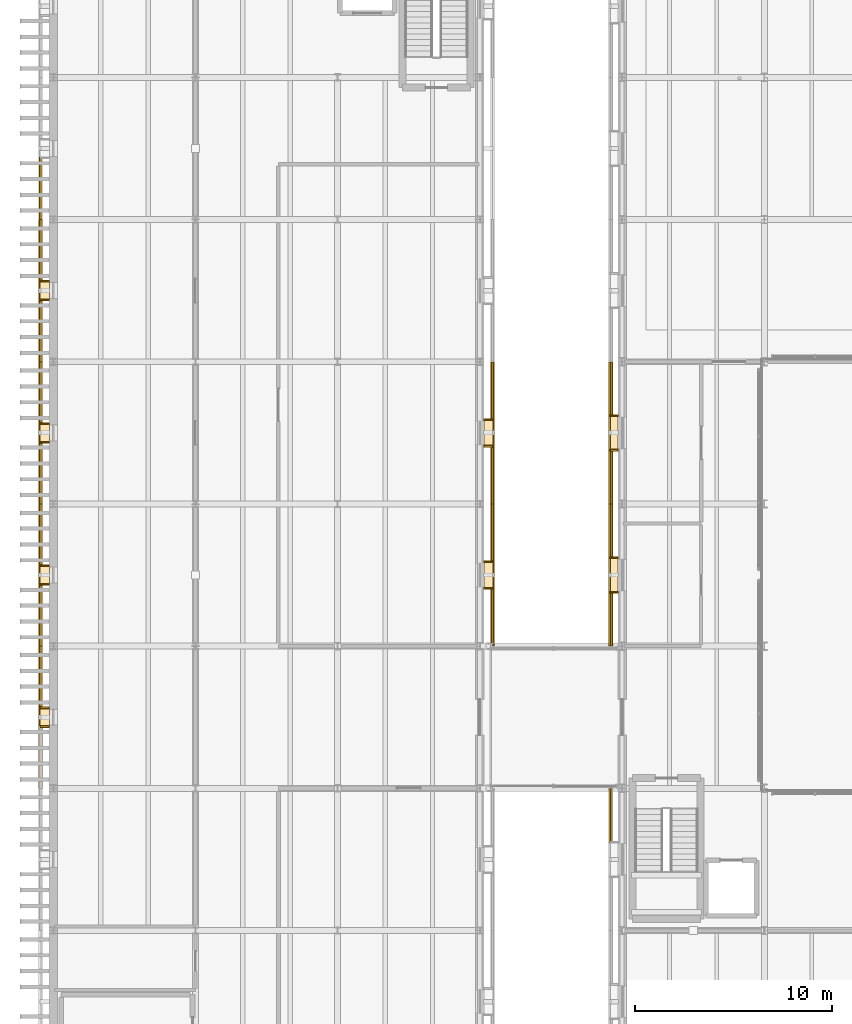
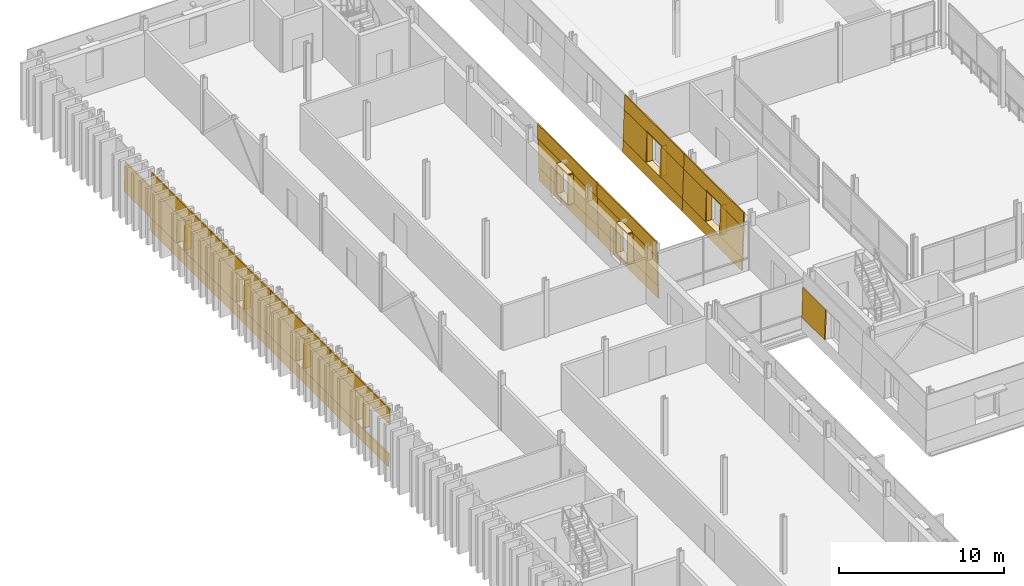
# One storey, part 100 of 115: 65 coverings.
"""IFC4 building model written with IfcOpenShell, lengths in metres."""

from ifc_helpers import new_model, si_unit, direction, frame, origin, place, context, subcontext, project, spatial, polyline, outline, extrude, material, layer, layer_set, type_object, element, save


model = new_model("IFC4")

# Units and contexts
model_context = context("Model", 3, precision=1e-05, world=origin(), true_north=direction((0.0, 1.0)))
body_context = subcontext(model_context, "Body", "Model", "MODEL_VIEW")
ifc_project = project(units=[si_unit("LENGTHUNIT", "METRE"), si_unit("AREAUNIT", "SQUARE_METRE"), si_unit("VOLUMEUNIT", "CUBIC_METRE"), si_unit("PLANEANGLEUNIT", "RADIAN"), si_unit("MASSUNIT", "GRAM", prefix="KILO")], contexts=[model_context])

# Site, building, storey
site_placement = place(None, origin())
site = spatial("IfcSite", under=ifc_project, at=site_placement, CompositionType="ELEMENT")
building_placement = place(site_placement, origin())
building = spatial("IfcBuilding", under=site, at=building_placement, Name="Narikvali Park Central Library", CompositionType="ELEMENT")
storey_placement = place(building_placement, frame((0.0, 0.0, 10.199951171875)))
storey = spatial("IfcBuildingStorey", under=building, at=storey_placement, Name="L02", CompositionType="ELEMENT", Elevation=10.199951171875)

# Coverings
ifc_material = material(Name="White Honed Limestone Cladding", Category="masonry")
ifc_layer_1 = layer(ifc_material, 0.0849609375, Name="White Honed Limestone Cladding")
ifc_layer_set_1 = layer_set([ifc_layer_1], Name="White Honed Limestone Cladding")
covering_type_1 = type_object("IfcCoveringType", Name="Battered White Limestone Facade Cladding Panel", PredefinedType="CLADDING", material=ifc_layer_set_1)
covering_1_placement = place(storey_placement, frame((28.103515625, 86.39990234375, 0.0), z_axis=(-0.999432774777, 0.0, 0.03367682738), x_axis=(0.0, -1.0, 0.0)))
element("IfcCovering", 1, at=covering_1_placement, inside=storey, type_object=covering_type_1, Name="V4 L02 W Battered Limestone Spandrel B05", PredefinedType="CLADDING", context=body_context, shape_type="SweptSolid", body=[
    extrude(outline(polyline([(0.0, 0.0), (7.199951171875, 0.0), (7.199951171875, 0.9206882532251458), (0.0, 0.9206882532251458), (0.0, 0.0)])), origin(), (0.0, 0.0, -1.0), 0.0849609375),
])
covering_2_placement = place(storey_placement, frame((28.208740234375, 86.39990234375, 3.1201171875), z_axis=(-0.999433057245, 0.0, 0.033668443484), x_axis=(0.0, -1.0, 0.0)))
element("IfcCovering", 2, at=covering_2_placement, inside=storey, type_object=covering_type_1, Name="V4 L02 W Battered Limestone Lintel B05", PredefinedType="CLADDING", context=body_context, shape_type="SweptSolid", body=[
    extrude(outline(polyline([(0.0, 0.0), (7.199951171875, 0.0), (7.199951171875, 1.0804465357109745), (0.0, 1.0804465357109745), (0.0, 0.0)])), origin(), (0.0, 0.0, -1.0), 0.0849609375),
])
for number, where, z_axis, x_axis, name in (
    (3, (28.134521484375, 86.39990234375, 0.920166015625), (-0.999431408105, 0.0, 0.033717361898), (0.0, -1.0, 0.0), "V4 L02 W Battered Limestone Jamb Pier L B05"),
    (4, (28.134521484375, 81.9599609375, 0.920166015625), (-0.999431408105, 0.0, 0.033717361898), (0.0, -1.0, 0.0), "V4 L02 W Battered Limestone Jamb Pier R B05"),
):
    element("IfcCovering", number, at=place(storey_placement, frame(where, z_axis=z_axis, x_axis=x_axis)), inside=storey, type_object=covering_type_1, Name=name, PredefinedType="CLADDING", context=body_context, shape_type="SweptSolid", body=[
        extrude(outline(polyline([(0.0, 0.0), (2.760009765625, 0.0), (2.760009765625, 2.2012027579225295), (0.0, 2.2012027579225295), (0.0, 0.0)])), origin(), (0.0, 0.0, -1.0), 0.0849609375),
    ])
covering_3_placement = place(storey_placement, frame((28.103515625, 79.199951171875, 0.0), z_axis=(-0.999432774777, 0.0, 0.03367682738), x_axis=(0.0, -1.0, 0.0)))
element("IfcCovering", 5, at=covering_3_placement, inside=storey, type_object=covering_type_1, Name="V4 L02 W Battered Limestone Spandrel B06", PredefinedType="CLADDING", context=body_context, shape_type="SweptSolid", body=[
    extrude(outline(polyline([(0.0, 0.0), (7.199951171875, 0.0), (7.199951171875, 0.9206882532251458), (0.0, 0.9206882532251458), (0.0, 0.0)])), origin(), (0.0, 0.0, -1.0), 0.0849609375),
])
covering_4_placement = place(storey_placement, frame((28.208740234375, 79.199951171875, 3.1201171875), z_axis=(-0.999433057245, 0.0, 0.033668443484), x_axis=(0.0, -1.0, 0.0)))
element("IfcCovering", 6, at=covering_4_placement, inside=storey, type_object=covering_type_1, Name="V4 L02 W Battered Limestone Lintel B06", PredefinedType="CLADDING", context=body_context, shape_type="SweptSolid", body=[
    extrude(outline(polyline([(0.0, 0.0), (7.199951171875, 0.0), (7.199951171875, 1.0804465357109745), (0.0, 1.0804465357109745), (0.0, 0.0)])), origin(), (0.0, 0.0, -1.0), 0.0849609375),
])
for number, where, z_axis, x_axis, name in (
    (7, (28.134521484375, 79.199951171875, 0.920166015625), (-0.999431408105, 0.0, 0.033717361898), (0.0, -1.0, 0.0), "V4 L02 W Battered Limestone Jamb Pier L B06"),
    (8, (28.134521484375, 74.760009765625, 0.920166015625), (-0.999431408105, 0.0, 0.033717361898), (0.0, -1.0, 0.0), "V4 L02 W Battered Limestone Jamb Pier R B06"),
    (9, (28.134521484375, 64.800048828125, 0.920166015625), (-0.999431408105, 0.0, 0.033717361898), (0.0, -1.0, 0.0), "V4 L02 W Battered Limestone Jamb Pier L B08"),
):
    element("IfcCovering", number, at=place(storey_placement, frame(where, z_axis=z_axis, x_axis=x_axis)), inside=storey, type_object=covering_type_1, Name=name, PredefinedType="CLADDING", context=body_context, shape_type="SweptSolid", body=[
        extrude(outline(polyline([(0.0, 0.0), (2.760009765625, 0.0), (2.760009765625, 2.2012027579225295), (0.0, 2.2012027579225295), (0.0, 0.0)])), origin(), (0.0, 0.0, -1.0), 0.0849609375),
    ])
covering_5_placement = place(storey_placement, frame((22.3505859375, 72.0, 0.0), z_axis=(0.999600632529, 0.0, 0.02825907725), x_axis=(0.0, 1.0, 0.0)))
element("IfcCovering", 10, at=covering_5_placement, inside=storey, type_object=covering_type_1, Name="V5 L02 E Battered Limestone Spandrel B07", PredefinedType="CLADDING", context=body_context, shape_type="SweptSolid", body=[
    extrude(outline(polyline([(0.0, 0.0), (7.199951171875, 0.0), (7.199951171875, 0.9503307030441919), (0.0, 0.9503307030441919), (0.0, 0.0)])), origin(), (0.0, 0.0, -1.0), 0.0849609375),
])
covering_6_placement = place(storey_placement, frame((22.2626953125, 72.0, 3.10009765625), z_axis=(0.999596598509, 0.0, 0.028401412788), x_axis=(0.0, 1.0, 0.0)))
element("IfcCovering", 11, at=covering_6_placement, inside=storey, type_object=covering_type_1, Name="V5 L02 E Battered Limestone Lintel B07", PredefinedType="CLADDING", context=body_context, shape_type="SweptSolid", body=[
    extrude(outline(polyline([(0.0, 0.0), (7.199951171875, 0.0), (7.199951171875, 1.100297377227026), (0.0, 1.100297377227026), (0.0, 0.0)])), origin(), (0.0, 0.0, -1.0), 0.0849609375),
])
for number, where, z_axis, x_axis, name in (
    (12, (22.32373046875, 72.0, 0.949951171875), (0.99959734633, 0.0, 0.028375080797), (0.0, 1.0, 0.0), "V5 L02 E Battered Limestone Jamb Pier L B07"),
    (13, (22.32373046875, 76.239990234375, 0.949951171875), (0.99959734633, 0.0, 0.028375080797), (0.0, 1.0, 0.0), "V5 L02 E Battered Limestone Jamb Pier R B07"),
):
    element("IfcCovering", number, at=place(storey_placement, frame(where, z_axis=z_axis, x_axis=x_axis)), inside=storey, type_object=covering_type_1, Name=name, PredefinedType="CLADDING", context=body_context, shape_type="SweptSolid", body=[
        extrude(outline(polyline([(0.0, 0.0), (2.9599609375, 0.0), (2.9599609375, 2.1510125974918495), (0.0, 2.1510125974918495), (0.0, 0.0)])), origin(), (0.0, 0.0, -1.0), 0.0849609375),
    ])
covering_7_placement = place(storey_placement, frame((22.3505859375, 79.199951171875, 0.0), z_axis=(0.999600632529, 0.0, 0.02825907725), x_axis=(0.0, 1.0, 0.0)))
element("IfcCovering", 14, at=covering_7_placement, inside=storey, type_object=covering_type_1, Name="V5 L02 E Battered Limestone Spandrel B08", PredefinedType="CLADDING", context=body_context, shape_type="SweptSolid", body=[
    extrude(outline(polyline([(0.0, 0.0), (7.199951171875, 0.0), (7.199951171875, 0.9503307030441919), (0.0, 0.9503307030441919), (0.0, 0.0)])), origin(), (0.0, 0.0, -1.0), 0.0849609375),
])
covering_8_placement = place(storey_placement, frame((22.2626953125, 79.199951171875, 3.10009765625), z_axis=(0.999596598509, 0.0, 0.028401412788), x_axis=(0.0, 1.0, 0.0)))
element("IfcCovering", 15, at=covering_8_placement, inside=storey, type_object=covering_type_1, Name="V5 L02 E Battered Limestone Lintel B08", PredefinedType="CLADDING", context=body_context, shape_type="SweptSolid", body=[
    extrude(outline(polyline([(0.0, 0.0), (7.199951171875, 0.0), (7.199951171875, 1.100297377227026), (0.0, 1.100297377227026), (0.0, 0.0)])), origin(), (0.0, 0.0, -1.0), 0.0849609375),
])
for number, where, z_axis, x_axis, name in (
    (16, (22.32373046875, 79.199951171875, 0.949951171875), (0.99959734633, 0.0, 0.028375080797), (0.0, 1.0, 0.0), "V5 L02 E Battered Limestone Jamb Pier L B08"),
    (17, (22.32373046875, 83.43994140625, 0.949951171875), (0.99959734633, 0.0, 0.028375080797), (0.0, 1.0, 0.0), "V5 L02 E Battered Limestone Jamb Pier R B08"),
):
    element("IfcCovering", number, at=place(storey_placement, frame(where, z_axis=z_axis, x_axis=x_axis)), inside=storey, type_object=covering_type_1, Name=name, PredefinedType="CLADDING", context=body_context, shape_type="SweptSolid", body=[
        extrude(outline(polyline([(0.0, 0.0), (2.9599609375, 0.0), (2.9599609375, 2.1510125974918495), (0.0, 2.1510125974918495), (0.0, 0.0)])), origin(), (0.0, 0.0, -1.0), 0.0849609375),
    ])
covering_9_placement = place(storey_placement, frame((-0.7236328125, 96.760009765625, 0.949951171875), z_axis=(-0.99959734633, 0.0, 0.028375080797), x_axis=(0.0, -1.0, 0.0)))
element("IfcCovering", 18, at=covering_9_placement, inside=storey, type_object=covering_type_1, Name="V5 L02 W Battered Limestone Jamb Pier R B02", PredefinedType="CLADDING", context=body_context, shape_type="SweptSolid", body=[
    extrude(outline(polyline([(0.0, 0.0), (3.159912109375, 0.0), (3.159912109375, 2.1510125974918495), (0.0, 2.1510125974918495), (0.0, 0.0)])), origin(), (0.0, 0.0, -1.0), 0.0849609375),
])
covering_10_placement = place(storey_placement, frame((-0.75048828125, 93.60009765625, 0.0), z_axis=(-0.999600632529, 0.0, 0.02825907725), x_axis=(0.0, -1.0, 0.0)))
element("IfcCovering", 19, at=covering_10_placement, inside=storey, type_object=covering_type_1, Name="V5 L02 W Battered Limestone Spandrel B03", PredefinedType="CLADDING", context=body_context, shape_type="SweptSolid", body=[
    extrude(outline(polyline([(0.0, 0.0), (7.2001953125, 0.0), (7.2001953125, 0.950330703044192), (0.0, 0.950330703044192), (0.0, 0.0)])), origin(), (0.0, 0.0, -1.0), 0.0849609375),
])
covering_11_placement = place(storey_placement, frame((-0.66259765625, 93.60009765625, 3.10009765625), z_axis=(-0.999602873297, 0.0, 0.028179703642), x_axis=(0.0, -1.0, 0.0)))
element("IfcCovering", 20, at=covering_11_placement, inside=storey, type_object=covering_type_1, Name="V5 L02 W Battered Limestone Lintel B03", PredefinedType="CLADDING", context=body_context, shape_type="SweptSolid", body=[
    extrude(outline(polyline([(0.0, 0.0), (7.2001953125, 0.0), (7.2001953125, 1.1002904703523768), (0.0, 1.1002904703523768), (0.0, 0.0)])), origin(), (0.0, 0.0, -1.0), 0.0849609375),
])
for number, where, z_axis, x_axis, name in (
    (21, (-0.7236328125, 93.60009765625, 0.949951171875), (-0.99959734633, 0.0, 0.028375080797), (0.0, -1.0, 0.0), "V5 L02 W Battered Limestone Jamb Pier L B03"),
    (22, (-0.7236328125, 89.56005859375, 0.949951171875), (-0.99959734633, 0.0, 0.028375080797), (0.0, -1.0, 0.0), "V5 L02 W Battered Limestone Jamb Pier R B03"),
):
    element("IfcCovering", number, at=place(storey_placement, frame(where, z_axis=z_axis, x_axis=x_axis)), inside=storey, type_object=covering_type_1, Name=name, PredefinedType="CLADDING", context=body_context, shape_type="SweptSolid", body=[
        extrude(outline(polyline([(0.0, 0.0), (3.16015625, 0.0), (3.16015625, 2.1510125974918495), (0.0, 2.1510125974918495), (0.0, 0.0)])), origin(), (0.0, 0.0, -1.0), 0.0849609375),
    ])
covering_12_placement = place(storey_placement, frame((-0.75048828125, 86.39990234375, 0.0), z_axis=(-0.999600632529, 0.0, 0.02825907725), x_axis=(0.0, -1.0, 0.0)))
element("IfcCovering", 23, at=covering_12_placement, inside=storey, type_object=covering_type_1, Name="V5 L02 W Battered Limestone Spandrel B04", PredefinedType="CLADDING", context=body_context, shape_type="SweptSolid", body=[
    extrude(outline(polyline([(0.0, 0.0), (7.199951171875, 0.0), (7.199951171875, 0.9503307030441919), (0.0, 0.9503307030441919), (0.0, 0.0)])), origin(), (0.0, 0.0, -1.0), 0.0849609375),
])
covering_13_placement = place(storey_placement, frame((-0.66259765625, 86.39990234375, 3.10009765625), z_axis=(-0.999602873297, 0.0, 0.028179703642), x_axis=(0.0, -1.0, 0.0)))
element("IfcCovering", 24, at=covering_13_placement, inside=storey, type_object=covering_type_1, Name="V5 L02 W Battered Limestone Lintel B04", PredefinedType="CLADDING", context=body_context, shape_type="SweptSolid", body=[
    extrude(outline(polyline([(0.0, 0.0), (7.199951171875, 0.0), (7.199951171875, 1.1002904703523768), (0.0, 1.1002904703523768), (0.0, 0.0)])), origin(), (0.0, 0.0, -1.0), 0.0849609375),
])
covering_14_placement = place(storey_placement, frame((-0.7236328125, 86.39990234375, 0.949951171875), z_axis=(-0.99959734633, 0.0, 0.028375080797), x_axis=(0.0, -1.0, 0.0)))
element("IfcCovering", 25, at=covering_14_placement, inside=storey, type_object=covering_type_1, Name="V5 L02 W Battered Limestone Jamb Pier L B04", PredefinedType="CLADDING", context=body_context, shape_type="SweptSolid", body=[
    extrude(outline(polyline([(0.0, 0.0), (3.159912109375, 0.0), (3.159912109375, 2.1510125974918495), (0.0, 2.1510125974918495), (0.0, 0.0)])), origin(), (0.0, 0.0, -1.0), 0.0849609375),
])
covering_15_placement = place(storey_placement, frame((-0.7236328125, 82.360107421875, 0.949951171875), z_axis=(-0.99959734633, 0.0, 0.028375080797), x_axis=(0.0, -1.0, 0.0)))
element("IfcCovering", 26, at=covering_15_placement, inside=storey, type_object=covering_type_1, Name="V5 L02 W Battered Limestone Jamb Pier R B04", PredefinedType="CLADDING", context=body_context, shape_type="SweptSolid", body=[
    extrude(outline(polyline([(0.0, 0.0), (3.16015625, 0.0), (3.16015625, 2.1510125974918495), (0.0, 2.1510125974918495), (0.0, 0.0)])), origin(), (0.0, 0.0, -1.0), 0.0849609375),
])
covering_16_placement = place(storey_placement, frame((-0.75048828125, 79.199951171875, 0.0), z_axis=(-0.999600632529, 0.0, 0.02825907725), x_axis=(0.0, -1.0, 0.0)))
element("IfcCovering", 27, at=covering_16_placement, inside=storey, type_object=covering_type_1, Name="V5 L02 W Battered Limestone Spandrel B05", PredefinedType="CLADDING", context=body_context, shape_type="SweptSolid", body=[
    extrude(outline(polyline([(0.0, 0.0), (7.199951171875, 0.0), (7.199951171875, 0.9503307030441919), (0.0, 0.9503307030441919), (0.0, 0.0)])), origin(), (0.0, 0.0, -1.0), 0.0849609375),
])
covering_17_placement = place(storey_placement, frame((-0.66259765625, 79.199951171875, 3.10009765625), z_axis=(-0.999602873297, 0.0, 0.028179703642), x_axis=(0.0, -1.0, 0.0)))
element("IfcCovering", 28, at=covering_17_placement, inside=storey, type_object=covering_type_1, Name="V5 L02 W Battered Limestone Lintel B05", PredefinedType="CLADDING", context=body_context, shape_type="SweptSolid", body=[
    extrude(outline(polyline([(0.0, 0.0), (7.199951171875, 0.0), (7.199951171875, 1.1002904703523768), (0.0, 1.1002904703523768), (0.0, 0.0)])), origin(), (0.0, 0.0, -1.0), 0.0849609375),
])
for number, where, z_axis, x_axis, name in (
    (29, (-0.7236328125, 79.199951171875, 0.949951171875), (-0.99959734633, 0.0, 0.028375080797), (0.0, -1.0, 0.0), "V5 L02 W Battered Limestone Jamb Pier L B05"),
    (30, (-0.7236328125, 75.159912109375, 0.949951171875), (-0.99959734633, 0.0, 0.028375080797), (0.0, -1.0, 0.0), "V5 L02 W Battered Limestone Jamb Pier R B05"),
):
    element("IfcCovering", number, at=place(storey_placement, frame(where, z_axis=z_axis, x_axis=x_axis)), inside=storey, type_object=covering_type_1, Name=name, PredefinedType="CLADDING", context=body_context, shape_type="SweptSolid", body=[
        extrude(outline(polyline([(0.0, 0.0), (3.159912109375, 0.0), (3.159912109375, 2.1510125974918495), (0.0, 2.1510125974918495), (0.0, 0.0)])), origin(), (0.0, 0.0, -1.0), 0.0849609375),
    ])
covering_18_placement = place(storey_placement, frame((-0.75048828125, 72.0, 0.0), z_axis=(-0.999600632529, 0.0, 0.02825907725), x_axis=(0.0, -1.0, 0.0)))
element("IfcCovering", 31, at=covering_18_placement, inside=storey, type_object=covering_type_1, Name="V5 L02 W Battered Limestone Spandrel B06", PredefinedType="CLADDING", context=body_context, shape_type="SweptSolid", body=[
    extrude(outline(polyline([(0.0, 0.0), (7.199951171875, 0.0), (7.199951171875, 0.9503307030441919), (0.0, 0.9503307030441919), (0.0, 0.0)])), origin(), (0.0, 0.0, -1.0), 0.0849609375),
])
covering_19_placement = place(storey_placement, frame((-0.66259765625, 72.0, 3.10009765625), z_axis=(-0.999602873297, 0.0, 0.028179703642), x_axis=(0.0, -1.0, 0.0)))
element("IfcCovering", 32, at=covering_19_placement, inside=storey, type_object=covering_type_1, Name="V5 L02 W Battered Limestone Lintel B06", PredefinedType="CLADDING", context=body_context, shape_type="SweptSolid", body=[
    extrude(outline(polyline([(0.0, 0.0), (7.199951171875, 0.0), (7.199951171875, 1.1002904703523768), (0.0, 1.1002904703523768), (0.0, 0.0)])), origin(), (0.0, 0.0, -1.0), 0.0849609375),
])
covering_20_placement = place(storey_placement, frame((-0.7236328125, 72.0, 0.949951171875), z_axis=(-0.99959734633, 0.0, 0.028375080797), x_axis=(0.0, -1.0, 0.0)))
element("IfcCovering", 33, at=covering_20_placement, inside=storey, type_object=covering_type_1, Name="V5 L02 W Battered Limestone Jamb Pier L B06", PredefinedType="CLADDING", context=body_context, shape_type="SweptSolid", body=[
    extrude(outline(polyline([(0.0, 0.0), (3.159912109375, 0.0), (3.159912109375, 2.1510125974918495), (0.0, 2.1510125974918495), (0.0, 0.0)])), origin(), (0.0, 0.0, -1.0), 0.0849609375),
])
ifc_layer_2 = layer(ifc_material, 0.080078125, Name="White Honed Limestone Cladding")
ifc_layer_set_2 = layer_set([ifc_layer_2], Name="White Honed Limestone Cladding")
covering_type_2 = type_object("IfcCoveringType", Name="Deep Carved White Limestone Window Reveal", PredefinedType="CLADDING", material=ifc_layer_set_2)
covering_21_placement = place(storey_placement, frame((0.0, 0.0, 3.1201171875)))
element("IfcCovering", 34, at=covering_21_placement, inside=storey, type_object=covering_type_2, Name="Deep Stone Reveal Head V4-RVL-L02-W-B05", PredefinedType="CLADDING", context=body_context, shape_type="SweptSolid", body=[
    extrude(outline(polyline([(28.594970703125, 83.679931640625), (28.594970703125, 81.919921875), (28.208740234375, 81.919921875), (28.208740234375, 83.679931640625), (28.594970703125, 83.679931640625)])), origin(), (0.0, 0.0, 1.0), 0.079833984375),
])
covering_22_placement = place(storey_placement, frame((0.0, 0.0, 0.840087890625)))
element("IfcCovering", 35, at=covering_22_placement, inside=storey, type_object=covering_type_2, Name="Deep Stone Reveal Sill V4-RVL-L02-W-B05", PredefinedType="CLADDING", context=body_context, shape_type="SweptSolid", body=[
    extrude(outline(polyline([(28.594970703125, 83.679931640625), (28.594970703125, 81.919921875), (28.134521484375, 81.919921875), (28.134521484375, 83.679931640625), (28.594970703125, 83.679931640625)])), origin(), (0.0, 0.0, 1.0), 0.080078125),
])
covering_23_placement = place(storey_placement, frame((0.0, 0.0, 0.920166015625)))
element("IfcCovering", 36, at=covering_23_placement, inside=storey, type_object=covering_type_2, Name="Deep Stone Reveal Jamb L V4-RVL-L02-W-B05", PredefinedType="CLADDING", context=body_context, shape_type="SweptSolid", body=[
    extrude(outline(polyline([(28.594970703125, 83.719970703125), (28.594970703125, 83.639892578125), (28.208740234375, 83.639892578125), (28.208740234375, 83.719970703125), (28.594970703125, 83.719970703125)])), origin(), (0.0, 0.0, 1.0), 2.199951171875),
])
covering_24_placement = place(storey_placement, frame((0.0, 0.0, 0.920166015625)))
element("IfcCovering", 37, at=covering_24_placement, inside=storey, type_object=covering_type_2, Name="Deep Stone Reveal Jamb R V4-RVL-L02-W-B05", PredefinedType="CLADDING", context=body_context, shape_type="SweptSolid", body=[
    extrude(outline(polyline([(28.594970703125, 81.9599609375), (28.594970703125, 81.8798828125), (28.208740234375, 81.8798828125), (28.208740234375, 81.9599609375), (28.594970703125, 81.9599609375)])), origin(), (0.0, 0.0, 1.0), 2.199951171875),
])
covering_25_placement = place(storey_placement, frame((0.0, 0.0, 3.1201171875)))
element("IfcCovering", 38, at=covering_25_placement, inside=storey, type_object=covering_type_2, Name="Deep Stone Reveal Head V4-RVL-L02-W-B06", PredefinedType="CLADDING", context=body_context, shape_type="SweptSolid", body=[
    extrude(outline(polyline([(28.594970703125, 76.47998046875), (28.594970703125, 74.719970703125), (28.208740234375, 74.719970703125), (28.208740234375, 76.47998046875), (28.594970703125, 76.47998046875)])), origin(), (0.0, 0.0, 1.0), 0.079833984375),
])
covering_26_placement = place(storey_placement, frame((0.0, 0.0, 0.840087890625)))
element("IfcCovering", 39, at=covering_26_placement, inside=storey, type_object=covering_type_2, Name="Deep Stone Reveal Sill V4-RVL-L02-W-B06", PredefinedType="CLADDING", context=body_context, shape_type="SweptSolid", body=[
    extrude(outline(polyline([(28.594970703125, 76.47998046875), (28.594970703125, 74.719970703125), (28.134521484375, 74.719970703125), (28.134521484375, 76.47998046875), (28.594970703125, 76.47998046875)])), origin(), (0.0, 0.0, 1.0), 0.080078125),
])
covering_27_placement = place(storey_placement, frame((0.0, 0.0, 0.920166015625)))
element("IfcCovering", 40, at=covering_27_placement, inside=storey, type_object=covering_type_2, Name="Deep Stone Reveal Jamb L V4-RVL-L02-W-B06", PredefinedType="CLADDING", context=body_context, shape_type="SweptSolid", body=[
    extrude(outline(polyline([(28.594970703125, 76.52001953125), (28.594970703125, 76.43994140625), (28.208740234375, 76.43994140625), (28.208740234375, 76.52001953125), (28.594970703125, 76.52001953125)])), origin(), (0.0, 0.0, 1.0), 2.199951171875),
])
covering_28_placement = place(storey_placement, frame((0.0, 0.0, 0.920166015625)))
element("IfcCovering", 41, at=covering_28_placement, inside=storey, type_object=covering_type_2, Name="Deep Stone Reveal Jamb R V4-RVL-L02-W-B06", PredefinedType="CLADDING", context=body_context, shape_type="SweptSolid", body=[
    extrude(outline(polyline([(28.594970703125, 74.760009765625), (28.594970703125, 74.679931640625), (28.208740234375, 74.679931640625), (28.208740234375, 74.760009765625), (28.594970703125, 74.760009765625)])), origin(), (0.0, 0.0, 1.0), 2.199951171875),
])
covering_29_placement = place(storey_placement, frame((0.0, 0.0, 3.10009765625)))
element("IfcCovering", 42, at=covering_29_placement, inside=storey, type_object=covering_type_2, Name="Deep Stone Reveal Head V5-RVL-L02-E-B07", PredefinedType="CLADDING", context=body_context, shape_type="SweptSolid", body=[
    extrude(outline(polyline([(21.804931640625, 74.919921875), (21.804931640625, 76.280029296875), (22.2626953125, 76.280029296875), (22.2626953125, 74.919921875), (21.804931640625, 74.919921875)])), origin(), (0.0, 0.0, 1.0), 0.079833984375),
])
covering_30_placement = place(storey_placement, frame((0.0, 0.0, 0.8701171875)))
element("IfcCovering", 43, at=covering_30_placement, inside=storey, type_object=covering_type_2, Name="Deep Stone Reveal Sill V5-RVL-L02-E-B07", PredefinedType="CLADDING", context=body_context, shape_type="SweptSolid", body=[
    extrude(outline(polyline([(21.804931640625, 74.919921875), (21.804931640625, 76.280029296875), (22.32373046875, 76.280029296875), (22.32373046875, 74.919921875), (21.804931640625, 74.919921875)])), origin(), (0.0, 0.0, 1.0), 0.079833984375),
])
covering_31_placement = place(storey_placement, frame((0.0, 0.0, 0.949951171875)))
element("IfcCovering", 44, at=covering_31_placement, inside=storey, type_object=covering_type_2, Name="Deep Stone Reveal Jamb L V5-RVL-L02-E-B07", PredefinedType="CLADDING", context=body_context, shape_type="SweptSolid", body=[
    extrude(outline(polyline([(21.804931640625, 74.8798828125), (21.804931640625, 74.9599609375), (22.2626953125, 74.9599609375), (22.2626953125, 74.8798828125), (21.804931640625, 74.8798828125)])), origin(), (0.0, 0.0, 1.0), 2.150146484375),
])
covering_32_placement = place(storey_placement, frame((0.0, 0.0, 0.949951171875)))
element("IfcCovering", 45, at=covering_32_placement, inside=storey, type_object=covering_type_2, Name="Deep Stone Reveal Jamb R V5-RVL-L02-E-B07", PredefinedType="CLADDING", context=body_context, shape_type="SweptSolid", body=[
    extrude(outline(polyline([(21.804931640625, 76.239990234375), (21.804931640625, 76.320068359375), (22.2626953125, 76.320068359375), (22.2626953125, 76.239990234375), (21.804931640625, 76.239990234375)])), origin(), (0.0, 0.0, 1.0), 2.150146484375),
])
covering_33_placement = place(storey_placement, frame((0.0, 0.0, 3.10009765625)))
element("IfcCovering", 46, at=covering_33_placement, inside=storey, type_object=covering_type_2, Name="Deep Stone Reveal Head V5-RVL-L02-E-B08", PredefinedType="CLADDING", context=body_context, shape_type="SweptSolid", body=[
    extrude(outline(polyline([(21.804931640625, 82.1201171875), (21.804931640625, 83.47998046875), (22.2626953125, 83.47998046875), (22.2626953125, 82.1201171875), (21.804931640625, 82.1201171875)])), origin(), (0.0, 0.0, 1.0), 0.079833984375),
])
covering_34_placement = place(storey_placement, frame((0.0, 0.0, 0.8701171875)))
element("IfcCovering", 47, at=covering_34_placement, inside=storey, type_object=covering_type_2, Name="Deep Stone Reveal Sill V5-RVL-L02-E-B08", PredefinedType="CLADDING", context=body_context, shape_type="SweptSolid", body=[
    extrude(outline(polyline([(21.804931640625, 82.1201171875), (21.804931640625, 83.47998046875), (22.32373046875, 83.47998046875), (22.32373046875, 82.1201171875), (21.804931640625, 82.1201171875)])), origin(), (0.0, 0.0, 1.0), 0.079833984375),
])
covering_35_placement = place(storey_placement, frame((0.0, 0.0, 0.949951171875)))
element("IfcCovering", 48, at=covering_35_placement, inside=storey, type_object=covering_type_2, Name="Deep Stone Reveal Jamb L V5-RVL-L02-E-B08", PredefinedType="CLADDING", context=body_context, shape_type="SweptSolid", body=[
    extrude(outline(polyline([(21.804931640625, 82.080078125), (21.804931640625, 82.159912109375), (22.2626953125, 82.159912109375), (22.2626953125, 82.080078125), (21.804931640625, 82.080078125)])), origin(), (0.0, 0.0, 1.0), 2.150146484375),
])
covering_36_placement = place(storey_placement, frame((0.0, 0.0, 0.949951171875)))
element("IfcCovering", 49, at=covering_36_placement, inside=storey, type_object=covering_type_2, Name="Deep Stone Reveal Jamb R V5-RVL-L02-E-B08", PredefinedType="CLADDING", context=body_context, shape_type="SweptSolid", body=[
    extrude(outline(polyline([(21.804931640625, 83.43994140625), (21.804931640625, 83.52001953125), (22.2626953125, 83.52001953125), (22.2626953125, 83.43994140625), (21.804931640625, 83.43994140625)])), origin(), (0.0, 0.0, 1.0), 2.150146484375),
])
covering_37_placement = place(storey_placement, frame((0.0, 0.0, 3.10009765625)))
element("IfcCovering", 50, at=covering_37_placement, inside=storey, type_object=covering_type_2, Name="Deep Stone Reveal Head V5-RVL-L02-W-B03", PredefinedType="CLADDING", context=body_context, shape_type="SweptSolid", body=[
    extrude(outline(polyline([(-0.205078125, 90.47998046875), (-0.205078125, 89.52001953125), (-0.66259765625, 89.52001953125), (-0.66259765625, 90.47998046875), (-0.205078125, 90.47998046875)])), origin(), (0.0, 0.0, 1.0), 0.079833984375),
])
covering_38_placement = place(storey_placement, frame((0.0, 0.0, 0.8701171875)))
element("IfcCovering", 51, at=covering_38_placement, inside=storey, type_object=covering_type_2, Name="Deep Stone Reveal Sill V5-RVL-L02-W-B03", PredefinedType="CLADDING", context=body_context, shape_type="SweptSolid", body=[
    extrude(outline(polyline([(-0.205078125, 90.47998046875), (-0.205078125, 89.52001953125), (-0.7236328125, 89.52001953125), (-0.7236328125, 90.47998046875), (-0.205078125, 90.47998046875)])), origin(), (0.0, 0.0, 1.0), 0.079833984375),
])
covering_39_placement = place(storey_placement, frame((0.0, 0.0, 0.949951171875)))
element("IfcCovering", 52, at=covering_39_placement, inside=storey, type_object=covering_type_2, Name="Deep Stone Reveal Jamb L V5-RVL-L02-W-B03", PredefinedType="CLADDING", context=body_context, shape_type="SweptSolid", body=[
    extrude(outline(polyline([(-0.205078125, 90.52001953125), (-0.205078125, 90.43994140625), (-0.66259765625, 90.43994140625), (-0.66259765625, 90.52001953125), (-0.205078125, 90.52001953125)])), origin(), (0.0, 0.0, 1.0), 2.150146484375),
])
covering_40_placement = place(storey_placement, frame((0.0, 0.0, 0.949951171875)))
element("IfcCovering", 53, at=covering_40_placement, inside=storey, type_object=covering_type_2, Name="Deep Stone Reveal Jamb R V5-RVL-L02-W-B03", PredefinedType="CLADDING", context=body_context, shape_type="SweptSolid", body=[
    extrude(outline(polyline([(-0.205078125, 89.56005859375), (-0.205078125, 89.47998046875), (-0.66259765625, 89.47998046875), (-0.66259765625, 89.56005859375), (-0.205078125, 89.56005859375)])), origin(), (0.0, 0.0, 1.0), 2.150146484375),
])
covering_41_placement = place(storey_placement, frame((0.0, 0.0, 3.10009765625)))
element("IfcCovering", 54, at=covering_41_placement, inside=storey, type_object=covering_type_2, Name="Deep Stone Reveal Head V5-RVL-L02-W-B04", PredefinedType="CLADDING", context=body_context, shape_type="SweptSolid", body=[
    extrude(outline(polyline([(-0.205078125, 83.280029296875), (-0.205078125, 82.320068359375), (-0.66259765625, 82.320068359375), (-0.66259765625, 83.280029296875), (-0.205078125, 83.280029296875)])), origin(), (0.0, 0.0, 1.0), 0.079833984375),
])
covering_42_placement = place(storey_placement, frame((0.0, 0.0, 0.8701171875)))
element("IfcCovering", 55, at=covering_42_placement, inside=storey, type_object=covering_type_2, Name="Deep Stone Reveal Sill V5-RVL-L02-W-B04", PredefinedType="CLADDING", context=body_context, shape_type="SweptSolid", body=[
    extrude(outline(polyline([(-0.205078125, 83.280029296875), (-0.205078125, 82.320068359375), (-0.7236328125, 82.320068359375), (-0.7236328125, 83.280029296875), (-0.205078125, 83.280029296875)])), origin(), (0.0, 0.0, 1.0), 0.079833984375),
])
covering_43_placement = place(storey_placement, frame((0.0, 0.0, 0.949951171875)))
element("IfcCovering", 56, at=covering_43_placement, inside=storey, type_object=covering_type_2, Name="Deep Stone Reveal Jamb L V5-RVL-L02-W-B04", PredefinedType="CLADDING", context=body_context, shape_type="SweptSolid", body=[
    extrude(outline(polyline([(-0.205078125, 83.320068359375), (-0.205078125, 83.239990234375), (-0.66259765625, 83.239990234375), (-0.66259765625, 83.320068359375), (-0.205078125, 83.320068359375)])), origin(), (0.0, 0.0, 1.0), 2.150146484375),
])
covering_44_placement = place(storey_placement, frame((0.0, 0.0, 0.949951171875)))
element("IfcCovering", 57, at=covering_44_placement, inside=storey, type_object=covering_type_2, Name="Deep Stone Reveal Jamb R V5-RVL-L02-W-B04", PredefinedType="CLADDING", context=body_context, shape_type="SweptSolid", body=[
    extrude(outline(polyline([(-0.205078125, 82.360107421875), (-0.205078125, 82.280029296875), (-0.66259765625, 82.280029296875), (-0.66259765625, 82.360107421875), (-0.205078125, 82.360107421875)])), origin(), (0.0, 0.0, 1.0), 2.150146484375),
])
covering_45_placement = place(storey_placement, frame((0.0, 0.0, 3.10009765625)))
element("IfcCovering", 58, at=covering_45_placement, inside=storey, type_object=covering_type_2, Name="Deep Stone Reveal Head V5-RVL-L02-W-B05", PredefinedType="CLADDING", context=body_context, shape_type="SweptSolid", body=[
    extrude(outline(polyline([(-0.205078125, 76.080078125), (-0.205078125, 75.1201171875), (-0.66259765625, 75.1201171875), (-0.66259765625, 76.080078125), (-0.205078125, 76.080078125)])), origin(), (0.0, 0.0, 1.0), 0.079833984375),
])
covering_46_placement = place(storey_placement, frame((0.0, 0.0, 0.8701171875)))
element("IfcCovering", 59, at=covering_46_placement, inside=storey, type_object=covering_type_2, Name="Deep Stone Reveal Sill V5-RVL-L02-W-B05", PredefinedType="CLADDING", context=body_context, shape_type="SweptSolid", body=[
    extrude(outline(polyline([(-0.205078125, 76.080078125), (-0.205078125, 75.1201171875), (-0.7236328125, 75.1201171875), (-0.7236328125, 76.080078125), (-0.205078125, 76.080078125)])), origin(), (0.0, 0.0, 1.0), 0.079833984375),
])
covering_47_placement = place(storey_placement, frame((0.0, 0.0, 0.949951171875)))
element("IfcCovering", 60, at=covering_47_placement, inside=storey, type_object=covering_type_2, Name="Deep Stone Reveal Jamb L V5-RVL-L02-W-B05", PredefinedType="CLADDING", context=body_context, shape_type="SweptSolid", body=[
    extrude(outline(polyline([(-0.205078125, 76.1201171875), (-0.205078125, 76.0400390625), (-0.66259765625, 76.0400390625), (-0.66259765625, 76.1201171875), (-0.205078125, 76.1201171875)])), origin(), (0.0, 0.0, 1.0), 2.150146484375),
])
covering_48_placement = place(storey_placement, frame((0.0, 0.0, 0.949951171875)))
element("IfcCovering", 61, at=covering_48_placement, inside=storey, type_object=covering_type_2, Name="Deep Stone Reveal Jamb R V5-RVL-L02-W-B05", PredefinedType="CLADDING", context=body_context, shape_type="SweptSolid", body=[
    extrude(outline(polyline([(-0.205078125, 75.159912109375), (-0.205078125, 75.080078125), (-0.66259765625, 75.080078125), (-0.66259765625, 75.159912109375), (-0.205078125, 75.159912109375)])), origin(), (0.0, 0.0, 1.0), 2.150146484375),
])
covering_49_placement = place(storey_placement, frame((0.0, 0.0, 3.10009765625)))
element("IfcCovering", 62, at=covering_49_placement, inside=storey, type_object=covering_type_2, Name="Deep Stone Reveal Head V5-RVL-L02-W-B06", PredefinedType="CLADDING", context=body_context, shape_type="SweptSolid", body=[
    extrude(outline(polyline([(-0.205078125, 68.8798828125), (-0.205078125, 67.919921875), (-0.66259765625, 67.919921875), (-0.66259765625, 68.8798828125), (-0.205078125, 68.8798828125)])), origin(), (0.0, 0.0, 1.0), 0.079833984375),
])
covering_50_placement = place(storey_placement, frame((0.0, 0.0, 0.8701171875)))
element("IfcCovering", 63, at=covering_50_placement, inside=storey, type_object=covering_type_2, Name="Deep Stone Reveal Sill V5-RVL-L02-W-B06", PredefinedType="CLADDING", context=body_context, shape_type="SweptSolid", body=[
    extrude(outline(polyline([(-0.205078125, 68.8798828125), (-0.205078125, 67.919921875), (-0.7236328125, 67.919921875), (-0.7236328125, 68.8798828125), (-0.205078125, 68.8798828125)])), origin(), (0.0, 0.0, 1.0), 0.079833984375),
])
covering_51_placement = place(storey_placement, frame((0.0, 0.0, 0.949951171875)))
element("IfcCovering", 64, at=covering_51_placement, inside=storey, type_object=covering_type_2, Name="Deep Stone Reveal Jamb L V5-RVL-L02-W-B06", PredefinedType="CLADDING", context=body_context, shape_type="SweptSolid", body=[
    extrude(outline(polyline([(-0.205078125, 68.919921875), (-0.205078125, 68.840087890625), (-0.66259765625, 68.840087890625), (-0.66259765625, 68.919921875), (-0.205078125, 68.919921875)])), origin(), (0.0, 0.0, 1.0), 2.150146484375),
])
covering_52_placement = place(storey_placement, frame((0.0, 0.0, 0.949951171875)))
element("IfcCovering", 65, at=covering_52_placement, inside=storey, type_object=covering_type_2, Name="Deep Stone Reveal Jamb R V5-RVL-L02-W-B06", PredefinedType="CLADDING", context=body_context, shape_type="SweptSolid", body=[
    extrude(outline(polyline([(-0.205078125, 67.9599609375), (-0.205078125, 67.8798828125), (-0.66259765625, 67.8798828125), (-0.66259765625, 67.9599609375), (-0.205078125, 67.9599609375)])), origin(), (0.0, 0.0, 1.0), 2.150146484375),
])

save(model, "model.ifc")
